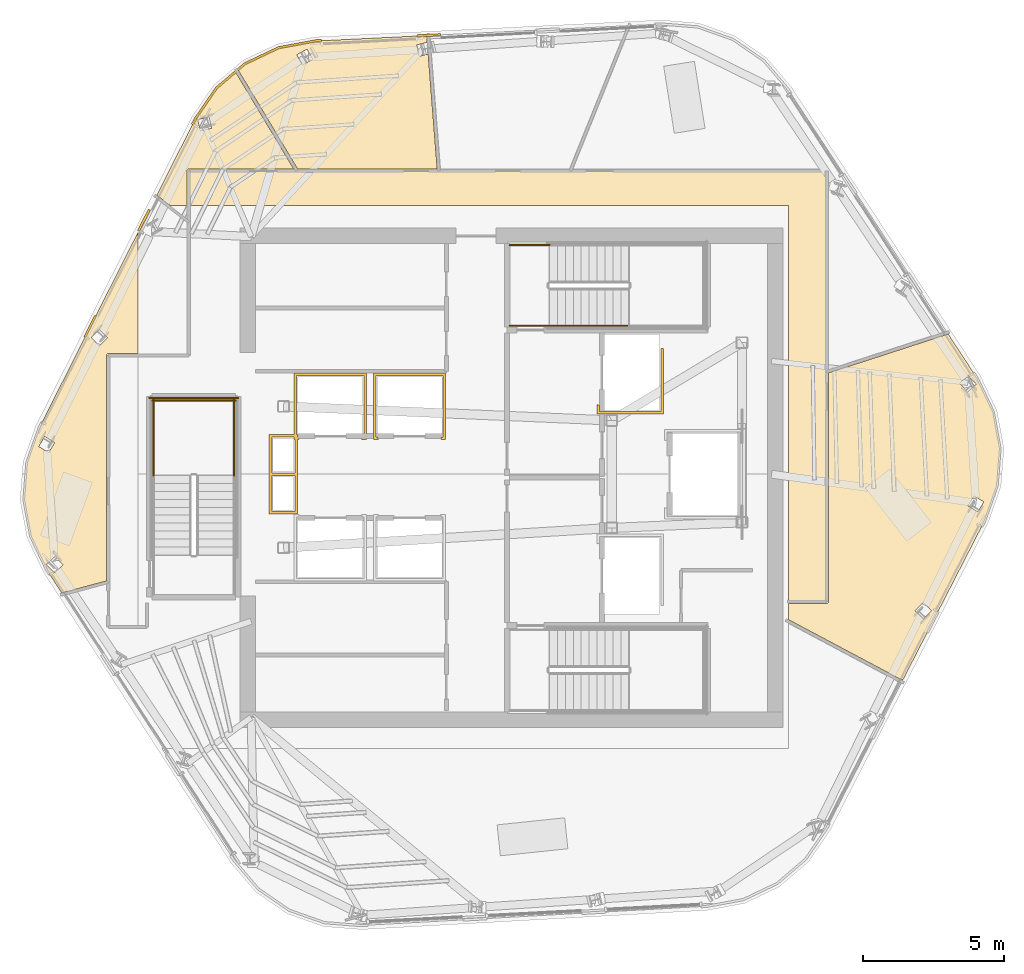
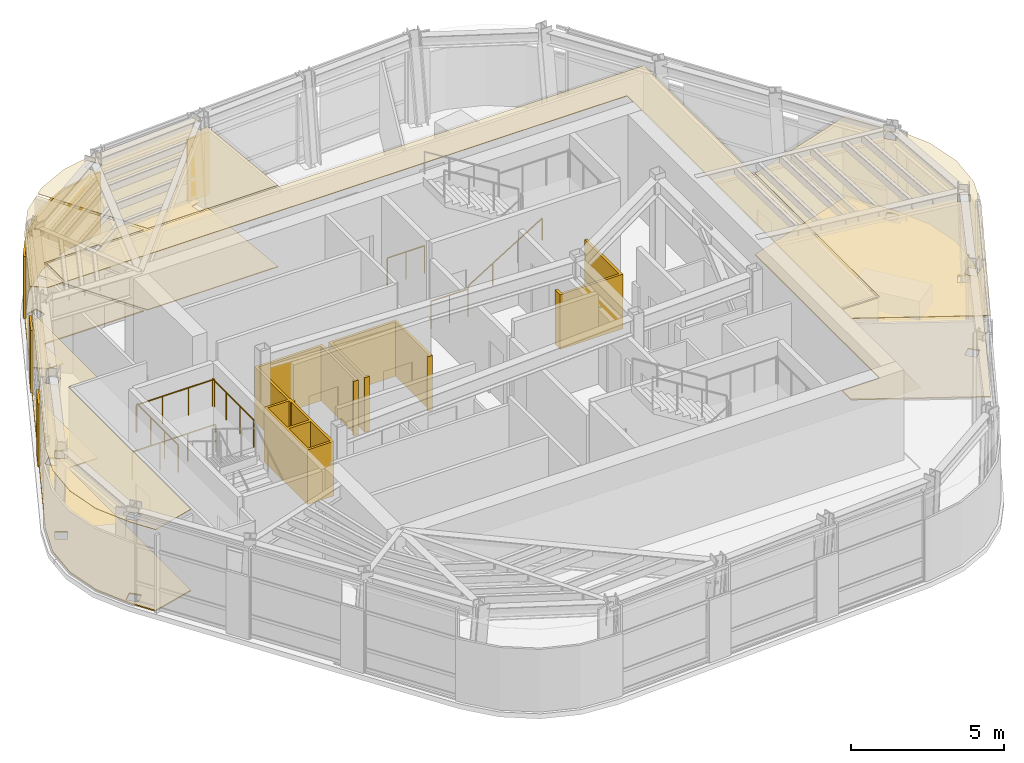
# One storey, part 11 of 13: 16 coverings, 7 railings.
"""IFC4 building model written with IfcOpenShell, lengths in metres."""

from ifc_helpers import new_model, si_unit, direction, frame, origin, origin_2d, place, context, subcontext, project, spatial, polyline, circle, outline, extrude, material, layer, layer_set, type_object, element, save


model = new_model("IFC4")

# Units and contexts
model_context = context("Model", 3, precision=1e-05, world=origin(), true_north=direction((0.0, 1.0)))
body_context = subcontext(model_context, "Body", "Model", "MODEL_VIEW")
ifc_project = project(units=[si_unit("LENGTHUNIT", "METRE"), si_unit("AREAUNIT", "SQUARE_METRE"), si_unit("VOLUMEUNIT", "CUBIC_METRE"), si_unit("PLANEANGLEUNIT", "RADIAN"), si_unit("MASSUNIT", "GRAM", prefix="KILO")], contexts=[model_context])

# Site, building, storey
site_placement = place(None, origin())
site = spatial("IfcSite", under=ifc_project, at=site_placement, CompositionType="ELEMENT")
building_placement = place(site_placement, origin())
building = spatial("IfcBuilding", under=site, at=building_placement, Name="Valkerne Bourse Tower", CompositionType="ELEMENT")
storey_placement = place(building_placement, frame((0.0, 0.0, 296.39990234375)))
storey = spatial("IfcBuildingStorey", under=building, at=storey_placement, Name="L75", CompositionType="ELEMENT", Elevation=296.39990234375)

# Coverings
ifc_material_1 = material(Name="Mineral Fiber Acoustic Ceiling Tile", Category="acoustic")
ifc_layer_1 = layer(ifc_material_1, 0.02490234375)
ifc_layer_set_1 = layer_set([ifc_layer_1], Name="Mineral Fiber Acoustic Ceiling Tile")
covering_type_1 = type_object("IfcCoveringType", Name="COV-CEIL-ACT", PredefinedType="CEILING", material=ifc_layer_set_1)
covering_1_placement = place(storey_placement, frame((0.0, 0.0, 3.25)))
element("IfcCovering", 1, at=covering_1_placement, inside=storey, type_object=covering_type_1, Name="L75 Suspended Ceiling 03", PredefinedType="CEILING", context=body_context, shape_type="SweptSolid", body=[
    extrude(outline(polyline([(39.876953125, 42.316650390625), (43.806884765625, 42.509765625), (43.825439453125, 42.270751953125), (43.44970703125, 42.1748046875), (43.551025390625, 41.778076171875), (43.55322265625, 41.778564453125), (43.858154296875, 41.856689453125), (44.17822265625, 37.7890625), (39.2470703125, 37.7890625), (37.137451171875, 41.2998046875), (37.37939453125, 41.506591796875), (38.5703125, 42.07470703125), (39.876953125, 42.316650390625)]), holes=[polyline([(39.41845703125, 41.47265625), (39.773193359375, 41.669921875), (39.574462890625, 42.027587890625), (39.572509765625, 42.026611328125), (39.217529296875, 41.82958984375), (39.416259765625, 41.4716796875), (39.41845703125, 41.47265625)])]), origin(), (0.0, 0.0, 1.0), 0.025146484375),
])
covering_2_placement = place(storey_placement, frame((0.0, 0.0, 3.25)))
element("IfcCovering", 2, at=covering_2_placement, inside=storey, type_object=covering_type_1, Name="L75 Suspended Ceiling 05", PredefinedType="CEILING", context=body_context, shape_type="SweptSolid", body=[
    extrude(outline(polyline([(29.5732421875, 26.09716796875), (29.677001953125, 27.41259765625), (30.12060546875, 28.665771484375), (33.60009765625, 35.55078125), (33.60009765625, 31.26904296875), (32.54931640625, 31.26904296875), (32.50927734375, 31.255859375), (32.484619140625, 31.222900390625), (32.48095703125, 23.224365234375), (30.901123046875, 22.801025390625), (30.385986328125, 23.599853515625), (29.813720703125, 24.7998046875), (29.5732421875, 26.09716796875)]), holes=[polyline([(30.9423828125, 23.79736328125), (30.65869140625, 24.091552734375), (30.365478515625, 23.81005859375), (30.365966796875, 23.8076171875), (30.6494140625, 23.513427734375), (30.94287109375, 23.794921875), (30.9423828125, 23.79736328125)]), polyline([(30.65380859375, 28.12060546875), (30.30517578125, 28.32958984375), (30.094482421875, 27.9794921875), (30.09423828125, 27.97705078125), (30.443115234375, 27.768310546875), (30.65380859375, 28.118408203125), (30.65380859375, 28.12060546875)]), polyline([(32.524169921875, 31.82568359375), (32.23974609375, 32.1162109375), (31.947265625, 31.830810546875), (31.946533203125, 31.828857421875), (32.23095703125, 31.5380859375), (32.5234375, 31.823486328125), (32.524169921875, 31.82568359375)])]), origin(), (0.0, 0.0, 1.0), 0.025146484375),
])
covering_3_placement = place(storey_placement, frame((0.0, 0.0, 3.25)))
element("IfcCovering", 3, at=covering_3_placement, inside=storey, type_object=covering_type_1, Name="L75 Suspended Ceiling 07", PredefinedType="CEILING", context=body_context, shape_type="SweptSolid", body=[
    extrude(outline(polyline([(63.9697265625, 26.58984375), (63.526123046875, 25.337158203125), (60.635498046875, 19.710205078125), (56.60009765625, 21.856201171875), (56.60009765625, 22.430908203125), (57.95361328125, 22.43115234375), (57.99609375, 22.4482421875), (58.018310546875, 22.489013671875), (58.01904296875, 30.583251953125), (62.244384765625, 31.9560546875), (63.2607421875, 30.402099609375), (63.8330078125, 29.20263671875), (64.073486328125, 27.9052734375), (63.9697265625, 26.58984375)]), holes=[polyline([(61.6533203125, 22.171142578125), (61.368896484375, 22.4619140625), (61.076416015625, 22.176513671875), (61.07568359375, 22.17431640625), (61.360107421875, 21.8837890625), (61.652587890625, 22.169189453125), (61.6533203125, 22.171142578125)]), polyline([(63.505615234375, 26.0205078125), (63.505615234375, 26.02294921875), (63.15673828125, 26.231689453125), (62.9462890625, 25.881591796875), (62.946044921875, 25.87939453125), (63.294921875, 25.67041015625), (63.505615234375, 26.0205078125)]), polyline([(63.23388671875, 30.1923828125), (62.950439453125, 30.486572265625), (62.6572265625, 30.205078125), (62.65771484375, 30.20263671875), (62.941162109375, 29.908447265625), (63.234619140625, 30.18994140625), (63.23388671875, 30.1923828125)])]), origin(), (0.0, 0.0, 1.0), 0.025146484375),
])
covering_4_placement = place(storey_placement, frame((0.0, 0.0, 3.25)))
element("IfcCovering", 4, at=covering_4_placement, inside=storey, type_object=covering_type_1, Name="L75 Suspended Ceiling 08", PredefinedType="CEILING", context=body_context, shape_type="SweptSolid", body=[
    extrude(outline(polyline([(37.04638671875, 41.22216796875), (39.109375, 37.7890625), (35.399658203125, 37.7890625), (35.370849609375, 37.78271484375), (35.341064453125, 37.756103515625), (35.3310546875, 37.720703125), (35.3310546875, 36.5), (34.736328125, 36.5), (34.265625, 36.867919921875), (35.623291015625, 39.554443359375), (36.3759765625, 40.6494140625), (37.04638671875, 41.22216796875)]), holes=[polyline([(36.204345703125, 39.234619140625), (36.2060546875, 39.236083984375), (36.108154296875, 39.630859375), (35.71142578125, 39.533203125), (35.709716796875, 39.53173828125), (35.8076171875, 39.136962890625), (36.204345703125, 39.234619140625)])]), origin(), (0.0, 0.0, 1.0), 0.025146484375),
])
ifc_material_2 = material(Name="Bronze Anodised Aluminium AA 6063-T6", Category="aluminium")
ifc_layer_2 = layer(ifc_material_2, 0.030029296875)
ifc_layer_set_2 = layer_set([ifc_layer_2], Name="Bronze Anodised Aluminium AA 6063-T6")
covering_type_2 = type_object("IfcCoveringType", Name="COV-CEIL-METAL", PredefinedType="CEILING", material=ifc_layer_set_2)
covering_5_placement = place(storey_placement, frame((0.0, 0.0, 3.25)))
element("IfcCovering", 5, at=covering_5_placement, inside=storey, type_object=covering_type_2, Name="L75 Suspended Ceiling 01", PredefinedType="CEILING", context=body_context, shape_type="SweptSolid", body=[
    extrude(outline(polyline([(35.404052734375, 37.716064453125), (57.946044921875, 37.716064453125), (57.946044921875, 22.50390625), (56.60009765625, 22.50390625), (56.60009765625, 36.5), (35.404052734375, 36.5), (35.404052734375, 37.716064453125)])), origin(), (0.0, 0.0, 1.0), 0.025146484375),
])
ifc_layer_3 = layer(ifc_material_2, 0.06005859375)
ifc_layer_set_3 = layer_set([ifc_layer_3], Name="Bronze Anodised Aluminium AA 6063-T6")
covering_type_3 = type_object("IfcCoveringType", Name="COV-CRN-ALUM", PredefinedType="CLADDING", material=ifc_layer_set_3)
covering_6_placement = place(storey_placement, origin())
element("IfcCovering", 6, at=covering_6_placement, inside=storey, type_object=covering_type_3, Name="L75 Wind-Shaped Corner Aluminium Cladding 11", PredefinedType="CLADDING", context=body_context, shape_type="SweptSolid", body=[
    extrude(outline(polyline([(32.06689453125, 32.614501953125), (32.13818359375, 32.578369140625), (31.75927734375, 31.82861328125), (31.68798828125, 31.864990234375), (32.06689453125, 32.614501953125)])), origin(), (0.0, 0.0, 1.0), 2.5),
])
covering_7_placement = place(storey_placement, origin())
element("IfcCovering", 7, at=covering_7_placement, inside=storey, type_object=covering_type_3, Name="L75 Wind-Shaped Corner Aluminium Cladding 12", PredefinedType="CLADDING", context=body_context, shape_type="SweptSolid", body=[
    extrude(outline(polyline([(33.966796875, 36.373779296875), (34.0380859375, 36.33740234375), (33.6591796875, 35.587890625), (33.587890625, 35.6240234375), (33.966796875, 36.373779296875)])), origin(), (0.0, 0.0, 1.0), 2.5),
])
covering_8_placement = place(storey_placement, origin())
element("IfcCovering", 8, at=covering_8_placement, inside=storey, type_object=covering_type_3, Name="L75 Wind-Shaped Corner Aluminium Cladding 13", PredefinedType="CLADDING", context=body_context, shape_type="SweptSolid", body=[
    extrude(outline(polyline([(35.58544921875, 39.576904296875), (36.343017578125, 40.67919921875), (37.355224609375, 41.543701171875), (38.556640625, 42.11669921875), (39.871826171875, 42.360595703125), (40.08837890625, 42.37109375), (40.092529296875, 42.291259765625), (39.881103515625, 42.281005859375), (38.58154296875, 42.0400390625), (37.399169921875, 41.47607421875), (36.40283203125, 40.625244140625), (35.654296875, 39.535888671875), (35.558837890625, 39.34716796875), (35.487548828125, 39.38330078125), (35.58544921875, 39.576904296875)])), origin(), (0.0, 0.0, 1.0), 2.5),
])
covering_9_placement = place(storey_placement, origin())
element("IfcCovering", 9, at=covering_9_placement, inside=storey, type_object=covering_type_3, Name="L75 Wind-Shaped Corner Aluminium Cladding 14", PredefinedType="CLADDING", context=body_context, shape_type="SweptSolid", body=[
    extrude(outline(polyline([(44.295166015625, 42.57763671875), (44.29931640625, 42.497802734375), (43.46044921875, 42.45654296875), (43.456298828125, 42.53662109375), (44.295166015625, 42.57763671875)])), origin(), (0.0, 0.0, 1.0), 2.5),
])
ifc_material_3 = material(Name="Galvanised Painted Steel", Category="steel")
ifc_layer_4 = layer(ifc_material_3, 0.044921875)
ifc_layer_set_4 = layer_set([ifc_layer_4], Name="Galvanised Painted Steel")
covering_type_4 = type_object("IfcCoveringType", Name="COV-FLR-RAF", PredefinedType="FLOORING", material=ifc_layer_set_4)
covering_10_placement = place(storey_placement, origin())
element("IfcCovering", 10, at=covering_10_placement, inside=storey, type_object=covering_type_4, Name="L75 Floor Finish 05", PredefinedType="FLOORING", context=body_context, shape_type="SweptSolid", body=[
    extrude(outline(polyline([(29.5732421875, 26.09716796875), (29.677001953125, 27.41259765625), (30.12060546875, 28.665771484375), (33.60009765625, 35.55078125), (33.60009765625, 31.26904296875), (32.54931640625, 31.26904296875), (32.50927734375, 31.255859375), (32.484619140625, 31.222900390625), (32.48095703125, 23.224365234375), (30.901123046875, 22.801025390625), (30.385986328125, 23.599853515625), (29.813720703125, 24.7998046875), (29.5732421875, 26.09716796875)]), holes=[polyline([(30.9423828125, 23.79736328125), (30.65869140625, 24.091552734375), (30.365478515625, 23.81005859375), (30.365966796875, 23.8076171875), (30.6494140625, 23.513427734375), (30.94287109375, 23.794921875), (30.9423828125, 23.79736328125)]), polyline([(30.65380859375, 28.12060546875), (30.30517578125, 28.32958984375), (30.094482421875, 27.9794921875), (30.09423828125, 27.97705078125), (30.443115234375, 27.768310546875), (30.65380859375, 28.118408203125), (30.65380859375, 28.12060546875)]), polyline([(32.524169921875, 31.82568359375), (32.23974609375, 32.1162109375), (31.947265625, 31.830810546875), (31.946533203125, 31.828857421875), (32.23095703125, 31.5380859375), (32.5234375, 31.823486328125), (32.524169921875, 31.82568359375)])]), origin(), (0.0, 0.0, 1.0), 0.045166015625),
])
covering_11_placement = place(storey_placement, origin())
element("IfcCovering", 11, at=covering_11_placement, inside=storey, type_object=covering_type_4, Name="L75 Floor Finish 07", PredefinedType="FLOORING", context=body_context, shape_type="SweptSolid", body=[
    extrude(outline(polyline([(63.9697265625, 26.58984375), (63.526123046875, 25.337158203125), (60.635498046875, 19.710205078125), (56.60009765625, 21.856201171875), (56.60009765625, 22.430908203125), (57.95361328125, 22.43115234375), (57.99609375, 22.4482421875), (58.018310546875, 22.489013671875), (58.01904296875, 30.583251953125), (62.244384765625, 31.9560546875), (63.2607421875, 30.402099609375), (63.8330078125, 29.20263671875), (64.073486328125, 27.9052734375), (63.9697265625, 26.58984375)]), holes=[polyline([(61.6533203125, 22.171142578125), (61.368896484375, 22.4619140625), (61.076416015625, 22.176513671875), (61.07568359375, 22.17431640625), (61.360107421875, 21.8837890625), (61.652587890625, 22.169189453125), (61.6533203125, 22.171142578125)]), polyline([(63.505615234375, 26.0205078125), (63.505615234375, 26.02294921875), (63.15673828125, 26.231689453125), (62.9462890625, 25.881591796875), (62.946044921875, 25.87939453125), (63.294921875, 25.67041015625), (63.505615234375, 26.0205078125)]), polyline([(63.23388671875, 30.1923828125), (62.950439453125, 30.486572265625), (62.6572265625, 30.205078125), (62.65771484375, 30.20263671875), (62.941162109375, 29.908447265625), (63.234619140625, 30.18994140625), (63.23388671875, 30.1923828125)])]), origin(), (0.0, 0.0, 1.0), 0.045166015625),
])
covering_12_placement = place(storey_placement, origin())
element("IfcCovering", 12, at=covering_12_placement, inside=storey, type_object=covering_type_4, Name="L75 Floor Finish 08", PredefinedType="FLOORING", context=body_context, shape_type="SweptSolid", body=[
    extrude(outline(polyline([(37.04638671875, 41.22216796875), (39.109375, 37.7890625), (35.399658203125, 37.7890625), (35.370849609375, 37.78271484375), (35.341064453125, 37.756103515625), (35.3310546875, 37.720703125), (35.3310546875, 36.5), (34.736328125, 36.5), (34.265625, 36.867919921875), (35.623291015625, 39.554443359375), (36.3759765625, 40.6494140625), (37.04638671875, 41.22216796875)]), holes=[polyline([(36.204345703125, 39.234619140625), (36.2060546875, 39.236083984375), (36.108154296875, 39.630859375), (35.71142578125, 39.533203125), (35.709716796875, 39.53173828125), (35.8076171875, 39.136962890625), (36.204345703125, 39.234619140625)])]), origin(), (0.0, 0.0, 1.0), 0.045166015625),
])
ifc_material_4 = material(Name="Polished Granite Stone", Category="masonry")
ifc_layer_5 = layer(ifc_material_4, 0.030029296875)
ifc_layer_set_5 = layer_set([ifc_layer_5], Name="Polished Granite Stone")
covering_type_5 = type_object("IfcCoveringType", Name="COV-FLR-TERRAZZO", PredefinedType="FLOORING", material=ifc_layer_set_5)
covering_13_placement = place(storey_placement, origin())
element("IfcCovering", 13, at=covering_13_placement, inside=storey, type_object=covering_type_5, Name="L75 Floor Finish 03", PredefinedType="FLOORING", context=body_context, shape_type="SweptSolid", body=[
    extrude(outline(polyline([(39.876953125, 42.316650390625), (43.806884765625, 42.509765625), (43.825439453125, 42.270751953125), (43.44970703125, 42.1748046875), (43.551025390625, 41.778076171875), (43.55322265625, 41.778564453125), (43.858154296875, 41.856689453125), (44.17822265625, 37.7890625), (39.2470703125, 37.7890625), (37.137451171875, 41.2998046875), (37.37939453125, 41.506591796875), (38.5703125, 42.07470703125), (39.876953125, 42.316650390625)]), holes=[polyline([(39.41845703125, 41.47265625), (39.773193359375, 41.669921875), (39.574462890625, 42.027587890625), (39.572509765625, 42.026611328125), (39.217529296875, 41.82958984375), (39.416259765625, 41.4716796875), (39.41845703125, 41.47265625)])]), origin(), (0.0, 0.0, 1.0), 0.030029296875),
])
ifc_material_5 = material(Name="Gypsum Shaftwall Liner Board", Category="gypsum")
ifc_layer_6 = layer(ifc_material_5, 0.080078125)
ifc_layer_set_6 = layer_set([ifc_layer_6], Name="Gypsum Shaftwall Liner Board")
covering_type_6 = type_object("IfcCoveringType", Name="COV-SHF-CLAD", PredefinedType="CLADDING", material=ifc_layer_set_6)
covering_14_placement = place(storey_placement, origin())
element("IfcCovering", 14, at=covering_14_placement, inside=storey, type_object=covering_type_6, Name="L75 Hoistway & Riser Shaftwall Liner 04", PredefinedType="CLADDING", context=body_context, shape_type="SweptSolid", body=[
    extrude(outline(polyline([(38.239990234375, 27.0400390625), (38.239990234375, 28.409912109375), (39.1201171875, 28.409912109375), (39.1201171875, 30.580078125), (41.679931640625, 30.580078125), (41.679931640625, 28.219970703125), (41.500732421875, 28.219970703125), (41.511474609375, 28.26220703125), (41.517822265625, 28.305908203125), (41.51806640625, 28.31005859375), (41.590087890625, 28.31005859375), (41.590087890625, 30.489990234375), (39.2099609375, 30.489990234375), (39.2099609375, 28.409912109375), (39.239990234375, 28.409912109375), (39.239990234375, 28.31005859375), (39.281982421875, 28.31005859375), (39.2822265625, 28.305908203125), (39.28857421875, 28.26220703125), (39.29931640625, 28.219970703125), (39.239990234375, 28.219970703125), (39.239990234375, 27.0400390625), (39.239990234375, 26.9599609375), (39.239990234375, 25.590087890625), (38.239990234375, 25.590087890625), (38.239990234375, 26.9599609375), (38.239990234375, 27.0400390625)]), holes=[polyline([(39.14990234375, 26.949951171875), (38.330078125, 26.949951171875), (38.330078125, 25.679931640625), (39.14990234375, 25.679931640625), (39.14990234375, 26.949951171875)]), polyline([(39.14990234375, 28.219970703125), (39.1201171875, 28.219970703125), (39.1201171875, 28.320068359375), (38.330078125, 28.320068359375), (38.330078125, 27.050048828125), (39.14990234375, 27.050048828125), (39.14990234375, 28.219970703125)])]), origin(), (0.0, 0.0, 1.0), 2.18017578125),
])
covering_15_placement = place(storey_placement, origin())
element("IfcCovering", 15, at=covering_15_placement, inside=storey, type_object=covering_type_6, Name="L75 Hoistway & Riser Shaftwall Liner 06", PredefinedType="CLADDING", context=body_context, shape_type="SweptSolid", body=[
    extrude(outline(polyline([(44.47998046875, 28.219970703125), (44.30078125, 28.219970703125), (44.311279296875, 28.26220703125), (44.31787109375, 28.305908203125), (44.318115234375, 28.31005859375), (44.389892578125, 28.31005859375), (44.389892578125, 30.489990234375), (42.010009765625, 30.489990234375), (42.010009765625, 28.31005859375), (42.08203125, 28.31005859375), (42.082275390625, 28.305908203125), (42.088623046875, 28.26220703125), (42.09912109375, 28.219970703125), (41.919921875, 28.219970703125), (41.919921875, 30.580078125), (44.47998046875, 30.580078125), (44.47998046875, 28.219970703125)])), origin(), (0.0, 0.0, 1.0), 2.18017578125),
])
covering_16_placement = place(storey_placement, origin())
element("IfcCovering", 16, at=covering_16_placement, inside=storey, type_object=covering_type_6, Name="L75 Hoistway & Riser Shaftwall Liner 07", PredefinedType="CLADDING", context=body_context, shape_type="SweptSolid", body=[
    extrude(outline(polyline([(49.820068359375, 29.1201171875), (49.820068359375, 29.468017578125), (49.827880859375, 29.46435546875), (49.869384765625, 29.449462890625), (49.909912109375, 29.439208984375), (49.909912109375, 29.2099609375), (52.090087890625, 29.2099609375), (52.090087890625, 31.449951171875), (52.179931640625, 31.449951171875), (52.179931640625, 29.1201171875), (49.820068359375, 29.1201171875)])), origin(), (0.0, 0.0, 1.0), 2.18017578125),
])

# Railings
railing_type_1 = type_object("IfcRailingType", Name="RLG-ST-GUARD-1120", PredefinedType="GUARDRAIL", material=ifc_material_3)
for number, where, name in (
    (17, (46.75, 32.25, 0.0), "L75 ST-2 stair guard 8"),
    (18, (46.75, 35.10009765625, 0.0), "L75 ST-2 stair guard 9"),
):
    element("IfcRailing", number, at=place(storey_placement, frame(where)), inside=storey, type_object=railing_type_1, Name=name, PredefinedType="GUARDRAIL", context=body_context, shape_type="SweptSolid", body=[
        extrude(circle(Radius=0.02392578125, at=origin_2d()), frame((0.0, 0.0, 1.09619140625), z_axis=(1.0, 0.0, 0.0), x_axis=(0.0, 1.0, 0.0)), (0.0, 0.0, 1.0), 1.39990234375),
        extrude(circle(Radius=0.02099609375, at=origin_2d()), origin(), (0.0, 0.0, 1.0), 1.072021484375),
        extrude(circle(Radius=0.02099609375, at=origin_2d()), frame((0.699951171875, 0.0, 0.0)), (0.0, 0.0, 1.0), 1.072021484375),
        extrude(circle(Radius=0.02099609375, at=origin_2d()), frame((1.39990234375, 0.0, 0.0)), (0.0, 0.0, 1.0), 1.072021484375),
    ])
for number, where, name in (
    (19, (37.0, 26.949951171875, 1.900146484375), "L75 ST-3 stair guard 3"),
    (20, (34.14990234375, 26.949951171875, 1.900146484375), "L75 ST-3 stair guard 4"),
):
    element("IfcRailing", number, at=place(storey_placement, frame(where)), inside=storey, type_object=railing_type_1, Name=name, PredefinedType="GUARDRAIL", context=body_context, shape_type="SweptSolid", body=[
        extrude(circle(Radius=0.02392578125, at=origin_2d()), frame((0.0, 0.0, 1.09619140625), z_axis=(0.0, 1.0, 0.0), x_axis=(-1.0, 0.0, 0.0)), (0.0, 0.0, 1.0), 2.699951171875),
        extrude(circle(Radius=0.02099609375, at=origin_2d()), origin(), (0.0, 0.0, 1.0), 1.072021484375),
        extrude(circle(Radius=0.02099609375, at=origin_2d()), frame((0.0, 0.89990234375, 0.0)), (0.0, 0.0, 1.0), 1.072021484375),
        extrude(circle(Radius=0.02099609375, at=origin_2d()), frame((0.0, 1.800048828125, 0.0)), (0.0, 0.0, 1.0), 1.072021484375),
        extrude(circle(Radius=0.02099609375, at=origin_2d()), frame((0.0, 2.699951171875, 0.0)), (0.0, 0.0, 1.0), 1.072021484375),
    ])
railing_1_placement = place(storey_placement, frame((37.050048828125, 29.60009765625, 1.900146484375)))
element("IfcRailing", 21, at=railing_1_placement, inside=storey, type_object=railing_type_1, Name="L75 ST-3 stair guard 5", PredefinedType="GUARDRAIL", context=body_context, shape_type="SweptSolid", body=[
    extrude(circle(Radius=0.02392578125, at=origin_2d()), frame((0.0, 0.0, 1.09619140625), z_axis=(-1.0, 0.0, 0.0), x_axis=(0.0, -1.0, 0.0)), (0.0, 0.0, 1.0), 2.949951171875),
    extrude(circle(Radius=0.02099609375, at=origin_2d()), origin(), (0.0, 0.0, 1.0), 1.072021484375),
    extrude(circle(Radius=0.02099609375, at=origin_2d()), frame((-0.9833984375, 0.0, 0.0)), (0.0, 0.0, 1.0), 1.072021484375),
    extrude(circle(Radius=0.02099609375, at=origin_2d()), frame((-1.966552734375, 0.0, 0.0)), (0.0, 0.0, 1.0), 1.072021484375),
    extrude(circle(Radius=0.02099609375, at=origin_2d()), frame((-2.949951171875, 0.0, 0.0)), (0.0, 0.0, 1.0), 1.072021484375),
])
railing_2_placement = place(storey_placement, frame((37.14990234375, 29.699951171875, 0.0)))
element("IfcRailing", 22, at=railing_2_placement, inside=storey, type_object=railing_type_1, Name="L75 ST-3 stair guard 12", PredefinedType="GUARDRAIL", context=body_context, shape_type="SweptSolid", body=[
    extrude(circle(Radius=0.02392578125, at=origin_2d()), frame((0.0, 0.0, 1.09619140625), z_axis=(-1.0, 0.0, 0.0), x_axis=(0.0, -1.0, 0.0)), (0.0, 0.0, 1.0), 3.14990234375),
    extrude(circle(Radius=0.02099609375, at=origin_2d()), origin(), (0.0, 0.0, 1.0), 1.072021484375),
    extrude(circle(Radius=0.02099609375, at=origin_2d()), frame((-1.050048828125, 0.0, 0.0)), (0.0, 0.0, 1.0), 1.072021484375),
    extrude(circle(Radius=0.02099609375, at=origin_2d()), frame((-2.099853515625, 0.0, 0.0)), (0.0, 0.0, 1.0), 1.072021484375),
    extrude(circle(Radius=0.02099609375, at=origin_2d()), frame((-3.14990234375, 0.0, 0.0)), (0.0, 0.0, 1.0), 1.072021484375),
])
ifc_material_6 = material(Name="Stainless Steel AISI 316", Category="steel")
railing_type_2 = type_object("IfcRailingType", Name="RLG-ST-HANDRAIL-900", PredefinedType="HANDRAIL", material=ifc_material_6)
railing_3_placement = place(storey_placement, frame((48.14990234375, 32.25, 0.345458984375)))
element("IfcRailing", 23, at=railing_3_placement, inside=storey, type_object=railing_type_2, Name="L75 ST-2 stair handrail 1", PredefinedType="HANDRAIL", context=body_context, shape_type="SweptSolid", body=[
    extrude(circle(Radius=0.02392578125, at=origin_2d()), frame((0.0, 0.0, 0.8759765625), z_axis=(0.851089632645, 0.0, 0.525020415988), x_axis=(0.0, 1.0, 0.0)), (0.0, 0.0, 1.0), 3.2900390625),
    extrude(circle(Radius=0.02099609375, at=origin_2d()), origin(), (0.0, 0.0, 1.0), 0.851806640625),
    extrude(circle(Radius=0.02099609375, at=origin_2d()), frame((0.933349609375, 0.0, 0.57568359375)), (0.0, 0.0, 1.0), 0.851806640625),
    extrude(circle(Radius=0.02099609375, at=origin_2d()), frame((1.86669921875, 0.0, 1.151611328125)), (0.0, 0.0, 1.0), 0.851806640625),
    extrude(circle(Radius=0.02099609375, at=origin_2d()), frame((2.800048828125, 0.0, 1.727294921875)), (0.0, 0.0, 1.0), 0.851806640625),
])

save(model, "model.ifc")
